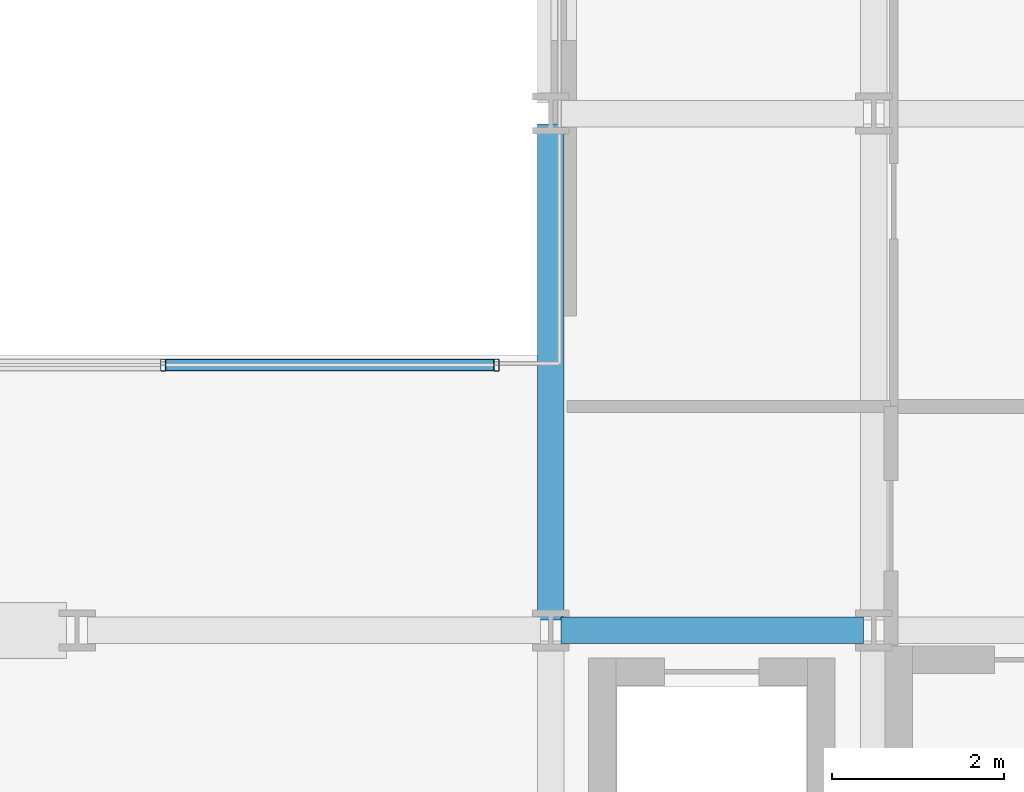
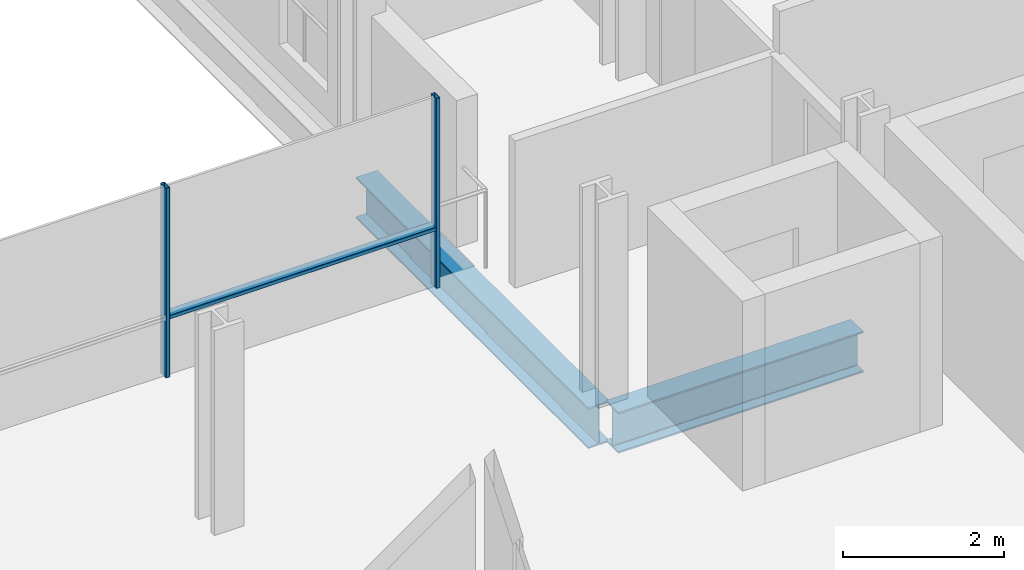
# One storey, part 13 of 40: 3 members, 2 beams, 1 element without a shape of its own.
"""IFC4 building model written with IfcOpenShell, lengths in metres."""

from ifc_helpers import new_model, si_unit, direction, frame, origin, origin_2d, place, context, subcontext, project, spatial, hollow_rectangle, i_section, extrude, material, layer, layer_set, material_profile, profile_set, type_object, element, aggregate, save


model = new_model("IFC4")

# Units and contexts
model_context = context("Model", 3, precision=1e-05, world=origin(), true_north=direction((0.0, 1.0)))
body_context = subcontext(model_context, "Body", "Model", "MODEL_VIEW")
ifc_project = project(units=[si_unit("LENGTHUNIT", "METRE"), si_unit("AREAUNIT", "SQUARE_METRE"), si_unit("VOLUMEUNIT", "CUBIC_METRE"), si_unit("PLANEANGLEUNIT", "RADIAN"), si_unit("MASSUNIT", "GRAM", prefix="KILO")], contexts=[model_context])

# Site, building, storey
site_placement = place(None, origin())
site = spatial("IfcSite", under=ifc_project, at=site_placement, CompositionType="ELEMENT")
building_placement = place(site_placement, origin())
building = spatial("IfcBuilding", under=site, at=building_placement, Name="Brevholm Reach", CompositionType="ELEMENT")
storey_placement = place(building_placement, frame((0.0, 0.0, 37.300048828125)))
storey = spatial("IfcBuildingStorey", under=building, at=storey_placement, Name="L09", CompositionType="ELEMENT", Elevation=37.300048828125)

# Beams
ifc_material_1 = material(Name="Structural Steel S355J2", Category="steel")
ifc_material_profile_1 = material_profile(ifc_material_1, i_section(OverallWidth=0.30712890625, OverallDepth=0.6201171875, WebThickness=0.01416015625, FlangeThickness=0.023681640625, FilletRadius=0.0166015625, at=origin_2d()), Name="UKB 610x305x179")
ifc_profile_set_1 = profile_set([ifc_material_profile_1], Name="Structural Steel S355J2")
beam_type = type_object("IfcBeamType", Name="BM-UKB610H", PredefinedType="USERDEFINED", material=ifc_profile_set_1)
beam_1_placement = place(storey_placement, frame((38.3701171875, 10.0, -0.5400390625), z_axis=(1.0, 0.0, 0.0), x_axis=(0.0, 1.0, 0.0)))
element("IfcBeam", 1, at=beam_1_placement, inside=storey, type_object=beam_type, Name="L09 G-06 Framing Beam", ObjectType="GIRDER", PredefinedType="USERDEFINED", context=body_context, shape_type="SweptSolid", body=[
    extrude(i_section(OverallWidth=0.30712890625, OverallDepth=0.6201171875, WebThickness=0.01416015625, FlangeThickness=0.023681640625, FilletRadius=0.0166015625, at=origin_2d()), origin(), (0.0, 0.0, 1.0), 3.509765625),
])
beam_2_placement = place(storey_placement, frame((38.25, 10.1201171875, -0.5400390625), z_axis=(0.0, 1.0, 0.0), x_axis=(-1.0, 0.0, 0.0)))
element("IfcBeam", 2, at=beam_2_placement, inside=storey, type_object=beam_type, Name="L09 G-06 Framing Beam", ObjectType="GIRDER", PredefinedType="USERDEFINED", context=body_context, shape_type="SweptSolid", body=[
    extrude(i_section(OverallWidth=0.30712890625, OverallDepth=0.6201171875, WebThickness=0.01416015625, FlangeThickness=0.023681640625, FilletRadius=0.0166015625, at=origin_2d()), origin(), (0.0, 0.0, 1.0), 5.759765625),
])

# Curtain wall, members
ifc_material_2 = material(Name="Dark Anodised Aluminium 6063-T6 and Solar-Control Glass", Category="aluminium")
ifc_layer = layer(ifc_material_2, 0.139892578125)
ifc_layer_set = layer_set([ifc_layer], Name="Dark Anodised Aluminium 6063-T6 and Solar-Control Glass")
curtain_wall_type = type_object("IfcCurtainWallType", Name="CW-02", PredefinedType="NOTDEFINED", material=ifc_layer_set)
curtain_wall_placement = place(storey_placement, origin())
curtain_wall = element("IfcCurtainWall", 3, at=curtain_wall_placement, inside=storey, type_object=curtain_wall_type, Name="L09 Curtain Wall CW-02", PredefinedType="NOTDEFINED")
ifc_material_3 = material(Name="Dark Anodised Aluminium 6063-T6", Category="aluminium")
ifc_material_profile_2 = material_profile(ifc_material_3, hollow_rectangle(XDim=0.06005859375, YDim=0.139892578125, WallThickness=0.0048828125, InnerFilletRadius=0.0048828125, OuterFilletRadius=0.010009765625, at=origin_2d()), Name="RHS 140x60x5")
ifc_profile_set_2 = profile_set([ifc_material_profile_2], Name="Dark Anodised Aluminium 6063-T6")
member_type_1 = type_object("IfcMemberType", Name="CWM-140", PredefinedType="MULLION", material=ifc_profile_set_2)
member_1_placement = place(storey_placement, frame((33.75, 13.080078125, 0.0), z_axis=(0.0, 0.0, 1.0), x_axis=(1.0, 0.0, 0.0)))
member_1 = element("IfcMember", 4, at=member_1_placement, type_object=member_type_1, Name="CM-140 Mullion 4", PredefinedType="MULLION", context=body_context, shape_type="SweptSolid", body=[
    extrude(hollow_rectangle(XDim=0.06005859375, YDim=0.139892578125, WallThickness=0.0048828125, InnerFilletRadius=0.0048828125, OuterFilletRadius=0.010009765625, at=origin_2d()), origin(), (0.0, 0.0, 1.0), 2.869873046875),
])
member_2_placement = place(storey_placement, frame((37.6201171875, 13.080078125, 0.0), z_axis=(0.0, 0.0, 1.0), x_axis=(1.0, 0.0, 0.0)))
member_2 = element("IfcMember", 5, at=member_2_placement, type_object=member_type_1, Name="CM-140 Mullion 5", PredefinedType="MULLION", context=body_context, shape_type="SweptSolid", body=[
    extrude(hollow_rectangle(XDim=0.06005859375, YDim=0.139892578125, WallThickness=0.0048828125, InnerFilletRadius=0.0048828125, OuterFilletRadius=0.010009765625, at=origin_2d()), origin(), (0.0, 0.0, 1.0), 2.869873046875),
])
ifc_material_4 = material(Name="Dark Anodised Aluminium 6063-T6", Category="aluminium")
ifc_material_profile_3 = material_profile(ifc_material_4, hollow_rectangle(XDim=0.06005859375, YDim=0.139892578125, WallThickness=0.0048828125, InnerFilletRadius=0.0048828125, OuterFilletRadius=0.010009765625, at=origin_2d()), Name="RHS 140x60x5")
ifc_profile_set_3 = profile_set([ifc_material_profile_3], Name="Dark Anodised Aluminium 6063-T6")
member_type_2 = type_object("IfcMemberType", Name="CWT-140", PredefinedType="NOTDEFINED", material=ifc_profile_set_3)
member_3_placement = place(storey_placement, frame((33.780029296875, 13.080078125, 0.89990234375), z_axis=(1.0, 0.0, 0.0), x_axis=(0.0, 0.0, 1.0)))
member_3 = element("IfcMember", 6, at=member_3_placement, type_object=member_type_2, Name="CT-140 Transom 4.1", ObjectType="TRANSOM", PredefinedType="USERDEFINED", context=body_context, shape_type="SweptSolid", body=[
    extrude(hollow_rectangle(XDim=0.06005859375, YDim=0.139892578125, WallThickness=0.0048828125, InnerFilletRadius=0.0048828125, OuterFilletRadius=0.010009765625, at=origin_2d()), origin(), (0.0, 0.0, 1.0), 3.81005859375),
])
aggregate(curtain_wall, [member_1, member_2, member_3])

save(model, "model.ifc")
